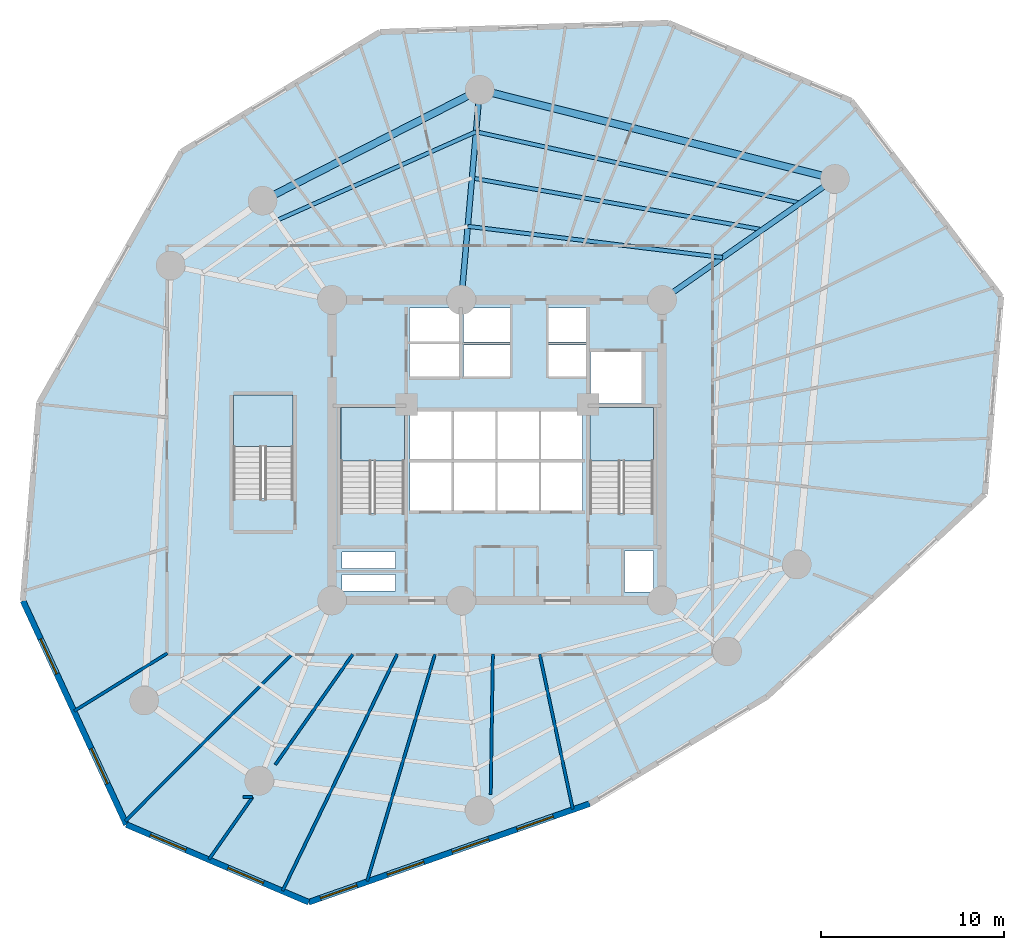
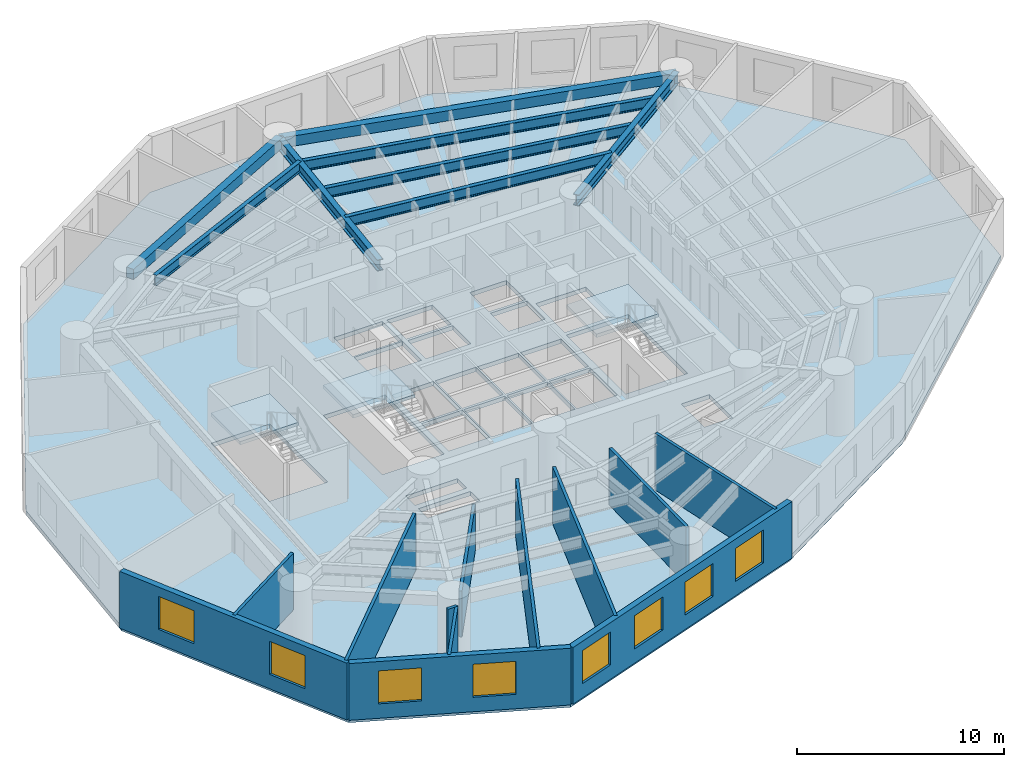
# One storey, part 2 of 8: 12 walls, 8 beams, 8 windows, 4 slabs, 8 openings, 3 elements without a shape of their own.
"""IFC4 building model written with IfcOpenShell, lengths in metres."""

from ifc_helpers import new_model, si_unit, direction, frame, frame_2d, origin, origin_with_axes, origin_2d, place, context, subcontext, project, spatial, polyline, rectangle, i_section, outline, extrude, source, transform, mapped, material, layer, layer_set, material_profile, profile_set, type_object, element, fill, aggregate, save


model = new_model("IFC4")

# Units and contexts
model_context = context("Model", 3, precision=1e-05, world=origin(), true_north=direction((0.0, 1.0)))
body_context = subcontext(model_context, "Body", "Model", "MODEL_VIEW")
ifc_project = project(units=[si_unit("LENGTHUNIT", "METRE"), si_unit("AREAUNIT", "SQUARE_METRE"), si_unit("VOLUMEUNIT", "CUBIC_METRE"), si_unit("PLANEANGLEUNIT", "RADIAN"), si_unit("MASSUNIT", "GRAM", prefix="KILO")], contexts=[model_context])

# Site, building, storey
site_placement = place(None, origin())
site = spatial("IfcSite", under=ifc_project, at=site_placement, CompositionType="ELEMENT")
building_placement = place(site_placement, origin())
building = spatial("IfcBuilding", under=site, at=building_placement, Name="Karkom Vertical University and Central Library", CompositionType="ELEMENT")
storey_placement = place(building_placement, frame((0.0, 0.0, 33.699951171875)))
storey = spatial("IfcBuildingStorey", under=building, at=storey_placement, Name="L08", CompositionType="ELEMENT", Elevation=33.699951171875)

# Beams
ifc_material_1 = material(Name="Steel S355", Category="steel")
ifc_material_profile_1 = material_profile(ifc_material_1, i_section(OverallWidth=0.300048828125, OverallDepth=0.64990234375, WebThickness=0.01611328125, FlangeThickness=0.031005859375, FilletRadius=0.027099609375, at=origin_2d()), Name="HE 650 B")
ifc_profile_set_1 = profile_set([ifc_material_profile_1], Name="Steel S355")
beam_type_1 = type_object("IfcBeamType", Name="STR-BM-SB-HE650", PredefinedType="USERDEFINED", material=ifc_profile_set_1)
shared_shape_1 = source(origin_with_axes(), body_context, "Body", "SweptSolid", [
    extrude(i_section(OverallWidth=0.300048828125, OverallDepth=0.64990234375, WebThickness=0.01611328125, FlangeThickness=0.031005859375, FilletRadius=0.027099609375, at=origin_2d()), origin(), (0.0, 0.0, 1.0), 11.49951171875),
])
beam_1_placement = place(storey_placement, frame((37.5, 34.699951171875, 3.025146484375), z_axis=(0.81915012564, 0.573579176457, 0.0), x_axis=(-0.573579176457, 0.81915012564, 0.0)))
element("IfcBeam", 1, at=beam_1_placement, inside=storey, type_object=beam_type_1, Name="Level 08 Radial Frame Girder 02", ObjectType="GIRDER", PredefinedType="USERDEFINED", context=body_context, shape_type="MappedRepresentation", body=[
    mapped(shared_shape_1, transform((0.0, 0.0, 0.0), scale=1.0)),
])
shared_shape_2 = source(origin_with_axes(), body_context, "Body", "SweptSolid", [
    extrude(i_section(OverallWidth=0.300048828125, OverallDepth=0.64990234375, WebThickness=0.01611328125, FlangeThickness=0.031005859375, FilletRadius=0.027099609375, at=origin_2d()), origin(), (0.0, 0.0, 1.0), 11.499755859375),
])
beam_2_placement = place(storey_placement, frame((26.550048828125, 34.699951171875, 3.025146484375), z_axis=(0.087127973109, 0.99619712723, 0.0), x_axis=(-0.99619712723, 0.087127973109, 0.0)))
element("IfcBeam", 2, at=beam_2_placement, inside=storey, type_object=beam_type_1, Name="Level 08 Radial Frame Girder 03", ObjectType="GIRDER", PredefinedType="USERDEFINED", context=body_context, shape_type="MappedRepresentation", body=[
    mapped(shared_shape_2, transform((0.0, 0.0, 0.0), scale=1.0)),
])
ifc_material_2 = material(Name="Precast concrete C45/55", Category="concrete")
ifc_material_profile_2 = material_profile(ifc_material_2, rectangle(XDim=0.39990234375, YDim=0.60009765625, at=origin_2d()), Name="SPB-400x600")
ifc_profile_set_2 = profile_set([ifc_material_profile_2], Name="Precast concrete C45/55")
beam_type_2 = type_object("IfcBeamType", Name="STR-BM-SP-1", PredefinedType="SPANDREL", material=ifc_profile_set_2)
shared_shape_3 = source(origin_with_axes(), body_context, "Body", "SweptSolid", [
    extrude(rectangle(XDim=0.39990234375, YDim=0.60009765625, at=origin_2d()), origin(), (0.0, 0.0, 1.0), 19.968505859375),
])
beam_3_placement = place(storey_placement, frame((46.919921875, 41.2958984375, 3.050048828125), z_axis=(-0.969928522391, 0.243389937039, 0.0), x_axis=(-0.243389937039, -0.969928522391, 0.0)))
element("IfcBeam", 3, at=beam_3_placement, inside=storey, type_object=beam_type_2, Name="Level 08 Perimeter Spandrel Beam 02", PredefinedType="SPANDREL", context=body_context, shape_type="MappedRepresentation", body=[
    mapped(shared_shape_3, transform((0.0, 0.0, 0.0), scale=1.0)),
])
shared_shape_4 = source(origin_with_axes(), body_context, "Body", "SweptSolid", [
    extrude(rectangle(XDim=0.39990234375, YDim=0.60009765625, at=origin_2d()), origin(), (0.0, 0.0, 1.0), 13.29443359375),
])
beam_4_placement = place(storey_placement, frame((27.552001953125, 46.156005859375, 3.050048828125), z_axis=(-0.890447746793, -0.455085497716, 0.0), x_axis=(0.455085497716, -0.890447746793, 0.0)))
element("IfcBeam", 4, at=beam_4_placement, inside=storey, type_object=beam_type_2, Name="Level 08 Perimeter Spandrel Beam 03", PredefinedType="SPANDREL", context=body_context, shape_type="MappedRepresentation", body=[
    mapped(shared_shape_4, transform((0.0, 0.0, 0.0), scale=1.0)),
])
ifc_material_profile_3 = material_profile(ifc_material_1, i_section(OverallWidth=0.219970703125, OverallDepth=0.60009765625, WebThickness=0.011962890625, FlangeThickness=0.01904296875, FilletRadius=0.02392578125, at=origin_2d()), Name="IPE 600")
ifc_profile_set_3 = profile_set([ifc_material_profile_3], Name="Steel S355")
beam_type_3 = type_object("IfcBeamType", Name="STR-BM-SB-IPE600", PredefinedType="BEAM", material=ifc_profile_set_3)
shared_shape_5 = source(origin_with_axes(), body_context, "Body", "SweptSolid", [
    extrude(i_section(OverallWidth=0.219970703125, OverallDepth=0.60009765625, WebThickness=0.011962890625, FlangeThickness=0.01904296875, FilletRadius=0.02392578125, at=origin_2d()), origin(), (0.0, 0.0, 1.0), 14.000244140625),
])
beam_5_placement = place(storey_placement, frame((40.797119140625, 37.008544921875, 3.050048828125), z_axis=(-0.992590166403, 0.121510335198, 0.0), x_axis=(-0.121510335198, -0.992590166403, 0.0)))
element("IfcBeam", 5, at=beam_5_placement, inside=storey, type_object=beam_type_3, Name="Level 08 Secondary Composite Floor Beam 1.02", PredefinedType="BEAM", context=body_context, shape_type="MappedRepresentation", body=[
    mapped(shared_shape_5, transform((0.0, 0.0, 0.0), scale=1.0)),
])
shared_shape_6 = source(origin_with_axes(), body_context, "Body", "SweptSolid", [
    extrude(i_section(OverallWidth=0.219970703125, OverallDepth=0.60009765625, WebThickness=0.011962890625, FlangeThickness=0.01904296875, FilletRadius=0.02392578125, at=origin_2d()), origin(), (0.0, 0.0, 1.0), 16.08154296875),
])
beam_6_placement = place(storey_placement, frame((42.963623046875, 38.525634765625, 3.050048828125), z_axis=(-0.984517708807, 0.175285142111, 0.0), x_axis=(-0.175285142111, -0.984517708807, 0.0)))
element("IfcBeam", 6, at=beam_6_placement, inside=storey, type_object=beam_type_3, Name="Level 08 Secondary Composite Floor Beam 2.02", PredefinedType="BEAM", context=body_context, shape_type="MappedRepresentation", body=[
    mapped(shared_shape_6, transform((0.0, 0.0, 0.0), scale=1.0)),
])
shared_shape_7 = source(origin_with_axes(), body_context, "Body", "SweptSolid", [
    extrude(i_section(OverallWidth=0.219970703125, OverallDepth=0.60009765625, WebThickness=0.011962890625, FlangeThickness=0.01904296875, FilletRadius=0.02392578125, at=origin_2d()), origin(), (0.0, 0.0, 1.0), 18.106689453125),
])
beam_7_placement = place(storey_placement, frame((45.035888671875, 39.976806640625, 3.050048828125), z_axis=(-0.976674731786, 0.214724167926, 0.0), x_axis=(-0.214724167926, -0.976674731786, 0.0)))
element("IfcBeam", 7, at=beam_7_placement, inside=storey, type_object=beam_type_3, Name="Level 08 Secondary Composite Floor Beam 3.02", PredefinedType="BEAM", context=body_context, shape_type="MappedRepresentation", body=[
    mapped(shared_shape_7, transform((0.0, 0.0, 0.0), scale=1.0)),
])
shared_shape_8 = source(origin_with_axes(), body_context, "Body", "SweptSolid", [
    extrude(i_section(OverallWidth=0.219970703125, OverallDepth=0.60009765625, WebThickness=0.011962890625, FlangeThickness=0.01904296875, FilletRadius=0.02392578125, at=origin_2d()), origin(), (0.0, 0.0, 1.0), 11.908203125),
])
beam_8_placement = place(storey_placement, frame((27.3515625, 43.86474609375, 3.050048828125), z_axis=(-0.913682996781, -0.406427584441, 0.0), x_axis=(0.406427584441, -0.913682996781, 0.0)))
element("IfcBeam", 8, at=beam_8_placement, inside=storey, type_object=beam_type_3, Name="Level 08 Secondary Composite Floor Beam 3.03", PredefinedType="BEAM", context=body_context, shape_type="MappedRepresentation", body=[
    mapped(shared_shape_8, transform((0.0, 0.0, 0.0), scale=1.0)),
])

# Stair, slab
ifc_material_3 = material(Name="Concrete C45/55", Category="concrete")
stair_type_1 = type_object("IfcStairType", Name="INT-STR-ST-MAIN", PredefinedType="HALF_TURN_STAIR", material=ifc_material_3)
stair_1_placement = place(storey_placement, origin())
stair_1 = element("IfcStair", 9, at=stair_1_placement, inside=storey, type_object=stair_type_1, Name="Level 08 Tower Protected Exit Stair ST-1", PredefinedType="HALF_TURN_STAIR")
ifc_layer_1 = layer(ifc_material_3, 0.199951171875)
ifc_layer_set_1 = layer_set([ifc_layer_1], Name="Concrete C45/55")
slab_type_1 = type_object("IfcSlabType", Name="INT-SLB-LANDING", PredefinedType="LANDING", material=ifc_layer_set_1)
slab_1_placement = place(storey_placement, frame((0.0, 0.0, 1.60009765625)))
slab_1 = element("IfcSlab", 10, at=slab_1_placement, type_object=slab_type_1, Name="ST-1 landing 1", PredefinedType="LANDING", context=body_context, shape_type="SweptSolid", body=[
    extrude(outline(polyline([(23.43994140625, 25.919921875), (23.43994140625, 28.820068359375), (19.97998046875, 28.820068359375), (19.97998046875, 25.919921875), (23.43994140625, 25.919921875)])), origin(), (0.0, 0.0, 1.0), 0.199951171875),
])
aggregate(stair_1, [slab_1])

stair_2_placement = place(storey_placement, origin())
stair_2 = element("IfcStair", 11, at=stair_2_placement, inside=storey, type_object=stair_type_1, Name="Level 08 Tower Protected Exit Stair ST-2", PredefinedType="HALF_TURN_STAIR")
slab_2_placement = place(storey_placement, frame((0.0, 0.0, 1.60009765625)))
slab_2 = element("IfcSlab", 12, at=slab_2_placement, type_object=slab_type_1, Name="ST-2 landing 1", PredefinedType="LANDING", context=body_context, shape_type="SweptSolid", body=[
    extrude(outline(polyline([(37.02001953125, 25.919921875), (37.02001953125, 28.820068359375), (33.56005859375, 28.820068359375), (33.56005859375, 25.919921875), (37.02001953125, 25.919921875)])), origin(), (0.0, 0.0, 1.0), 0.199951171875),
])
aggregate(stair_2, [slab_2])

stair_type_2 = type_object("IfcStairType", Name="INT-STR-ST-SEC", PredefinedType="HALF_TURN_STAIR", material=ifc_material_3)
stair_3_placement = place(storey_placement, origin())
stair_3 = element("IfcStair", 13, at=stair_3_placement, inside=storey, type_object=stair_type_2, Name="Level 08 Academic Zone Protected Exit Stair ST-3", PredefinedType="HALF_TURN_STAIR")
slab_3_placement = place(storey_placement, frame((0.0, 0.0, 1.60009765625)))
slab_3 = element("IfcSlab", 14, at=slab_3_placement, type_object=slab_type_1, Name="ST-3 landing 1", PredefinedType="LANDING", context=body_context, shape_type="SweptSolid", body=[
    extrude(outline(polyline([(17.3798828125, 26.699951171875), (17.3798828125, 29.5), (14.1201171875, 29.5), (14.1201171875, 26.699951171875), (17.3798828125, 26.699951171875)])), origin(), (0.0, 0.0, 1.0), 0.199951171875),
])
aggregate(stair_3, [slab_3])

# Slab
ifc_layer_2 = layer(ifc_material_3, 0.25)
ifc_layer_set_2 = layer_set([ifc_layer_2], Name="Concrete C45/55")
slab_type_2 = type_object("IfcSlabType", Name="STR-SLB-FLR-250", PredefinedType="FLOOR", material=ifc_layer_set_2)
slab_4_placement = place(storey_placement, frame((0.0, 0.0, -0.25)))
element("IfcSlab", 15, at=slab_4_placement, inside=storey, type_object=slab_type_2, Name="Level 08 Tower Structural Floor Slab", PredefinedType="FLOOR", context=body_context, shape_type="SweptSolid", body=[
    extrude(outline(polyline([(22.1162109375, 49.305908203125), (11.29248046875, 42.771240234375), (3.52978515625, 29.082763671875), (2.6455078125, 18.289794921875), (8.286376953125, 6.085205078125), (18.2275390625, 1.85009765625), (33.544921875, 7.222900390625), (43.20849609375, 13.05712890625), (55.097412109375, 24.10888671875), (55.97998046875, 34.878662109375), (47.807373046875, 45.5546875), (37.8447265625, 49.799072265625), (22.1162109375, 49.305908203125)]), holes=[polyline([(19.97998046875, 23.0849609375), (23.43994140625, 23.0849609375), (23.43994140625, 28.820068359375), (19.97998046875, 28.820068359375), (19.97998046875, 23.0849609375)]), polyline([(33.56005859375, 23.0849609375), (37.02001953125, 23.0849609375), (37.02001953125, 28.820068359375), (33.56005859375, 28.820068359375), (33.56005859375, 23.0849609375)]), polyline([(14.1201171875, 23.864990234375), (17.3798828125, 23.864990234375), (17.3798828125, 29.5), (14.1201171875, 29.5), (14.1201171875, 23.864990234375)]), polyline([(23.75, 23.199951171875), (26.030029296875, 23.199951171875), (26.030029296875, 25.85009765625), (23.75, 25.85009765625), (23.75, 23.199951171875)]), polyline([(26.1298828125, 23.199951171875), (28.409912109375, 23.199951171875), (28.409912109375, 25.85009765625), (26.1298828125, 25.85009765625), (26.1298828125, 23.199951171875)]), polyline([(28.510009765625, 23.199951171875), (30.7900390625, 23.199951171875), (30.7900390625, 25.85009765625), (28.510009765625, 25.85009765625), (28.510009765625, 23.199951171875)]), polyline([(30.889892578125, 23.199951171875), (33.169921875, 23.199951171875), (33.169921875, 25.85009765625), (30.889892578125, 25.85009765625), (30.889892578125, 23.199951171875)]), polyline([(23.75, 26.0), (26.030029296875, 26.0), (26.030029296875, 28.64990234375), (23.75, 28.64990234375), (23.75, 26.0)]), polyline([(26.1298828125, 26.0), (28.409912109375, 26.0), (28.409912109375, 28.64990234375), (26.1298828125, 28.64990234375), (26.1298828125, 26.0)]), polyline([(28.510009765625, 26.0), (30.7900390625, 26.0), (30.7900390625, 28.64990234375), (28.510009765625, 28.64990234375), (28.510009765625, 26.0)]), polyline([(30.889892578125, 26.0), (33.169921875, 26.0), (33.169921875, 28.64990234375), (30.889892578125, 28.64990234375), (30.889892578125, 26.0)]), polyline([(26.679931640625, 30.5), (29.199951171875, 30.5), (29.199951171875, 32.25), (26.679931640625, 32.25), (26.679931640625, 30.5)]), polyline([(26.679931640625, 32.39990234375), (29.199951171875, 32.39990234375), (29.199951171875, 34.25), (26.679931640625, 34.25), (26.679931640625, 32.39990234375)]), polyline([(31.300048828125, 30.5), (33.35009765625, 30.5), (33.35009765625, 32.25), (31.300048828125, 32.25), (31.300048828125, 30.5)]), polyline([(31.300048828125, 32.39990234375), (33.35009765625, 32.39990234375), (33.35009765625, 34.25), (31.300048828125, 34.25), (31.300048828125, 32.39990234375)]), polyline([(23.719970703125, 30.47998046875), (26.429931640625, 30.47998046875), (26.429931640625, 32.320068359375), (23.719970703125, 32.320068359375), (23.719970703125, 30.47998046875)]), polyline([(23.719970703125, 32.419921875), (26.429931640625, 32.419921875), (26.429931640625, 34.260009765625), (23.719970703125, 34.260009765625), (23.719970703125, 32.419921875)]), polyline([(33.60009765625, 29.050048828125), (36.39990234375, 29.050048828125), (36.39990234375, 31.85009765625), (33.60009765625, 31.85009765625), (33.60009765625, 29.050048828125)]), polyline([(20.050048828125, 18.820068359375), (22.949951171875, 18.820068359375), (22.949951171875, 19.719970703125), (20.050048828125, 19.719970703125), (20.050048828125, 18.820068359375)]), polyline([(20.050048828125, 20.06005859375), (22.949951171875, 20.06005859375), (22.949951171875, 20.9599609375), (20.050048828125, 20.9599609375), (20.050048828125, 20.06005859375)]), polyline([(35.4599609375, 18.760009765625), (37.0400390625, 18.760009765625), (37.0400390625, 21.010009765625), (35.4599609375, 21.010009765625), (35.4599609375, 18.760009765625)])]), origin(), (0.0, 0.0, 1.0), 0.25),
])

# Wall, openings, windows
ifc_material_4 = material(Name="Brick-faced precast concrete C45/55", Category="masonry")
ifc_layer_3 = layer(ifc_material_4, 0.320068359375)
ifc_layer_set_3 = layer_set([ifc_layer_3], Name="Brick-faced precast concrete C45/55")
wall_type_1 = type_object("IfcWallType", Name="ENV-WL-BRK-320", PredefinedType="SOLIDWALL", material=ifc_layer_set_3)
wall_1_placement = place(storey_placement, frame((2.6455078125, 18.289794921875, 0.0), z_axis=(0.0, 0.0, 1.0), x_axis=(0.419547504899, -0.907733381083, 0.0)))
wall_1 = element("IfcWall", 16, at=wall_1_placement, inside=storey, type_object=wall_type_1, Name="Level 08 Brick-Faced Precast Facade Wall 04", PredefinedType="SOLIDWALL", context=body_context, shape_type="SweptSolid", body=[
    extrude(rectangle(XDim=13.445068359375, YDim=0.320068359375, at=frame_2d((6.72265625, 0.0))), origin(), (0.0, 0.0, 1.0), 3.35009765625),
])
opening_1_placement = place(wall_1_placement, frame((2.29150390625, 0.0, 0.85009765625)))
opening_1 = element("IfcOpeningElement", 17, at=opening_1_placement, cuts=wall_1, Name="Opening WN-03", PredefinedType="OPENING", context=body_context, shape_type="SweptSolid", body=[
    extrude(rectangle(XDim=2.10009765625, YDim=1.949951171875, at=frame_2d((1.050048828125, 0.97509765625))), frame((0.0, 0.169921875, 0.0), z_axis=(0.0, -1.0, 0.0), x_axis=(1.0, 0.0, 0.0)), (0.0, 0.0, 1.0), 0.340087890625),
])
opening_2_placement = place(wall_1_placement, frame((8.87890625, 0.0, 0.85009765625)))
opening_2 = element("IfcOpeningElement", 18, at=opening_2_placement, cuts=wall_1, Name="Opening WN-03", PredefinedType="OPENING", context=body_context, shape_type="SweptSolid", body=[
    extrude(rectangle(XDim=2.10009765625, YDim=1.949951171875, at=frame_2d((1.050048828125, 0.97509765625))), frame((0.0, 0.169921875, 0.0), z_axis=(0.0, -1.0, 0.0), x_axis=(1.0, 0.0, 0.0)), (0.0, 0.0, 1.0), 0.340087890625),
])
ifc_material_5 = material(Name="Aluminium thermal-break frame with solar-control IGU", Category="aluminium")
window_type = type_object("IfcWindowType", Name="ENV-WIN-WN-03", PartitioningType="SINGLE_PANEL", PredefinedType="WINDOW", material=ifc_material_5)
shared_shape_9 = source(origin_with_axes(), body_context, "Body", "SweptSolid", [
    extrude(rectangle(XDim=2.10009765625, YDim=1.949951171875, at=frame_2d((1.050048828125, 0.97509765625))), frame((0.0, 0.030029296875, 0.0), z_axis=(0.0, -1.0, 0.0), x_axis=(1.0, 0.0, 0.0)), (0.0, 0.0, 1.0), 0.06005859375),
])
window_1_placement = place(opening_1_placement, origin())
window_1 = element("IfcWindow", 19, at=window_1_placement, inside=storey, type_object=window_type, Name="Level 08 Punched Window 4.1", OverallHeight=1.949951171875, OverallWidth=2.10009765625, PartitioningType="SINGLE_PANEL", PredefinedType="WINDOW", context=body_context, shape_type="MappedRepresentation", body=[
    mapped(shared_shape_9, transform((0.0, 0.0, 0.0), scale=1.0)),
])
fill(opening_1, window_1)
window_2_placement = place(opening_2_placement, origin())
window_2 = element("IfcWindow", 20, at=window_2_placement, inside=storey, type_object=window_type, Name="Level 08 Punched Window 4.2", OverallHeight=1.949951171875, OverallWidth=2.10009765625, PartitioningType="SINGLE_PANEL", PredefinedType="WINDOW", context=body_context, shape_type="MappedRepresentation", body=[
    mapped(shared_shape_9, transform((0.0, 0.0, 0.0), scale=1.0)),
])
fill(opening_2, window_2)

wall_2_placement = place(storey_placement, frame((8.286376953125, 6.085205078125, 0.0), z_axis=(0.0, 0.0, 1.0), x_axis=(0.91999365671, -0.391933248924, 0.0)))
wall_2 = element("IfcWall", 21, at=wall_2_placement, inside=storey, type_object=wall_type_1, Name="Level 08 Brick-Faced Precast Facade Wall 05", PredefinedType="SOLIDWALL", context=body_context, shape_type="SweptSolid", body=[
    extrude(rectangle(XDim=10.8056640625, YDim=0.320068359375, at=frame_2d((5.40283203125, 0.0))), origin(), (0.0, 0.0, 1.0), 3.35009765625),
])
opening_3_placement = place(wall_2_placement, frame((1.426025390625, 0.0, 0.85009765625)))
opening_3 = element("IfcOpeningElement", 22, at=opening_3_placement, cuts=wall_2, Name="Opening WN-03", PredefinedType="OPENING", context=body_context, shape_type="SweptSolid", body=[
    extrude(rectangle(XDim=2.10009765625, YDim=1.949951171875, at=frame_2d((1.050048828125, 0.97509765625))), frame((0.0, 0.169921875, 0.0), z_axis=(0.0, -1.0, 0.0), x_axis=(1.0, 0.0, 0.0)), (0.0, 0.0, 1.0), 0.340087890625),
])
opening_4_placement = place(wall_2_placement, frame((6.021484375, 0.0, 0.85009765625)))
opening_4 = element("IfcOpeningElement", 23, at=opening_4_placement, cuts=wall_2, Name="Opening WN-03", PredefinedType="OPENING", context=body_context, shape_type="SweptSolid", body=[
    extrude(rectangle(XDim=2.10009765625, YDim=1.949951171875, at=frame_2d((1.050048828125, 0.97509765625))), frame((0.0, 0.169921875, 0.0), z_axis=(0.0, -1.0, 0.0), x_axis=(1.0, 0.0, 0.0)), (0.0, 0.0, 1.0), 0.340087890625),
])
window_3_placement = place(opening_3_placement, origin())
window_3 = element("IfcWindow", 24, at=window_3_placement, inside=storey, type_object=window_type, Name="Level 08 Punched Window 5.1", OverallHeight=1.949951171875, OverallWidth=2.10009765625, PartitioningType="SINGLE_PANEL", PredefinedType="WINDOW", context=body_context, shape_type="MappedRepresentation", body=[
    mapped(shared_shape_9, transform((0.0, 0.0, 0.0), scale=1.0)),
])
fill(opening_3, window_3)
window_4_placement = place(opening_4_placement, origin())
window_4 = element("IfcWindow", 25, at=window_4_placement, inside=storey, type_object=window_type, Name="Level 08 Punched Window 5.2", OverallHeight=1.949951171875, OverallWidth=2.10009765625, PartitioningType="SINGLE_PANEL", PredefinedType="WINDOW", context=body_context, shape_type="MappedRepresentation", body=[
    mapped(shared_shape_9, transform((0.0, 0.0, 0.0), scale=1.0)),
])
fill(opening_4, window_4)

wall_3_placement = place(storey_placement, frame((18.2275390625, 1.85009765625, 0.0), z_axis=(0.0, 0.0, 1.0), x_axis=(0.943633034102, 0.330993499864, 0.0)))
wall_3 = element("IfcWall", 26, at=wall_3_placement, inside=storey, type_object=wall_type_1, Name="Level 08 Brick-Faced Precast Facade Wall 06", PredefinedType="SOLIDWALL", context=body_context, shape_type="SweptSolid", body=[
    extrude(rectangle(XDim=16.232421875, YDim=0.320068359375, at=frame_2d((8.1162109375, 0.0))), origin(), (0.0, 0.0, 1.0), 3.35009765625),
])
opening_5_placement = place(wall_3_placement, frame((0.68505859375, 0.0, 0.85009765625)))
opening_5 = element("IfcOpeningElement", 27, at=opening_5_placement, cuts=wall_3, Name="Opening WN-03", PredefinedType="OPENING", context=body_context, shape_type="SweptSolid", body=[
    extrude(rectangle(XDim=2.10009765625, YDim=1.949951171875, at=frame_2d((1.050048828125, 0.97509765625))), frame((0.0, 0.169921875, 0.0), z_axis=(0.0, -1.0, 0.0), x_axis=(1.0, 0.0, 0.0)), (0.0, 0.0, 1.0), 0.340087890625),
])
opening_6_placement = place(wall_3_placement, frame((4.551025390625, 0.0, 0.85009765625)))
opening_6 = element("IfcOpeningElement", 28, at=opening_6_placement, cuts=wall_3, Name="Opening WN-03", PredefinedType="OPENING", context=body_context, shape_type="SweptSolid", body=[
    extrude(rectangle(XDim=2.10009765625, YDim=1.949951171875, at=frame_2d((1.050048828125, 0.97509765625))), frame((0.0, 0.169921875, 0.0), z_axis=(0.0, -1.0, 0.0), x_axis=(1.0, 0.0, 0.0)), (0.0, 0.0, 1.0), 0.340087890625),
])
opening_7_placement = place(wall_3_placement, frame((8.29248046875, 0.0, 0.85009765625)))
opening_7 = element("IfcOpeningElement", 29, at=opening_7_placement, cuts=wall_3, Name="Opening WN-03", PredefinedType="OPENING", context=body_context, shape_type="SweptSolid", body=[
    extrude(rectangle(XDim=2.10009765625, YDim=1.949951171875, at=frame_2d((1.050048828125, 0.97509765625))), frame((0.0, 0.169921875, 0.0), z_axis=(0.0, -1.0, 0.0), x_axis=(1.0, 0.0, 0.0)), (0.0, 0.0, 1.0), 0.340087890625),
])
opening_8_placement = place(wall_3_placement, frame((12.033935546875, 0.0, 0.85009765625)))
opening_8 = element("IfcOpeningElement", 30, at=opening_8_placement, cuts=wall_3, Name="Opening WN-03", PredefinedType="OPENING", context=body_context, shape_type="SweptSolid", body=[
    extrude(rectangle(XDim=2.10009765625, YDim=1.949951171875, at=frame_2d((1.050048828125, 0.97509765625))), frame((0.0, 0.169921875, 0.0), z_axis=(0.0, -1.0, 0.0), x_axis=(1.0, 0.0, 0.0)), (0.0, 0.0, 1.0), 0.340087890625),
])
window_5_placement = place(opening_5_placement, origin())
window_5 = element("IfcWindow", 31, at=window_5_placement, inside=storey, type_object=window_type, Name="Level 08 Punched Window 6.1", OverallHeight=1.949951171875, OverallWidth=2.10009765625, PartitioningType="SINGLE_PANEL", PredefinedType="WINDOW", context=body_context, shape_type="MappedRepresentation", body=[
    mapped(shared_shape_9, transform((0.0, 0.0, 0.0), scale=1.0)),
])
fill(opening_5, window_5)
window_6_placement = place(opening_6_placement, origin())
window_6 = element("IfcWindow", 32, at=window_6_placement, inside=storey, type_object=window_type, Name="Level 08 Punched Window 6.2", OverallHeight=1.949951171875, OverallWidth=2.10009765625, PartitioningType="SINGLE_PANEL", PredefinedType="WINDOW", context=body_context, shape_type="MappedRepresentation", body=[
    mapped(shared_shape_9, transform((0.0, 0.0, 0.0), scale=1.0)),
])
fill(opening_6, window_6)
window_7_placement = place(opening_7_placement, origin())
window_7 = element("IfcWindow", 33, at=window_7_placement, inside=storey, type_object=window_type, Name="Level 08 Punched Window 6.3", OverallHeight=1.949951171875, OverallWidth=2.10009765625, PartitioningType="SINGLE_PANEL", PredefinedType="WINDOW", context=body_context, shape_type="MappedRepresentation", body=[
    mapped(shared_shape_9, transform((0.0, 0.0, 0.0), scale=1.0)),
])
fill(opening_7, window_7)
window_8_placement = place(opening_8_placement, origin())
window_8 = element("IfcWindow", 34, at=window_8_placement, inside=storey, type_object=window_type, Name="Level 08 Punched Window 6.4", OverallHeight=1.949951171875, OverallWidth=2.10009765625, PartitioningType="SINGLE_PANEL", PredefinedType="WINDOW", context=body_context, shape_type="MappedRepresentation", body=[
    mapped(shared_shape_9, transform((0.0, 0.0, 0.0), scale=1.0)),
])
fill(opening_8, window_8)

# Walls
ifc_material_6 = material(Name="Insulated metal-stud drywall 160mm", Category="gypsum")
ifc_layer_4 = layer(ifc_material_6, 0.159912109375)
ifc_layer_set_4 = layer_set([ifc_layer_4], Name="Insulated metal-stud drywall 160mm")
wall_type_2 = type_object("IfcWallType", Name="INT-WL-COR-160", PredefinedType="PARTITIONING", material=ifc_layer_set_4)
wall_4_placement = place(storey_placement, frame((23.054443359375, 15.390380859375, 0.0), z_axis=(0.0, 0.0, 1.0), x_axis=(-0.435763835204, -0.900061042334, 0.0)))
element("IfcWall", 35, at=wall_4_placement, inside=storey, type_object=wall_type_2, Name="Level 08 Interior Partition Wall Level 08-PW-008", PredefinedType="PARTITIONING", context=body_context, shape_type="SweptSolid", body=[
    extrude(rectangle(XDim=14.34033203125, YDim=0.159912109375, at=frame_2d((7.170166015625, 0.0))), origin(), (0.0, 0.0, 1.0), 3.35009765625),
])
wall_5_placement = place(storey_placement, frame((25.112548828125, 15.378662109375, 0.0), z_axis=(0.0, 0.0, 1.0), x_axis=(-0.286447487673, -0.958095943424, 0.0)))
element("IfcWall", 36, at=wall_5_placement, inside=storey, type_object=wall_type_2, Name="Level 08 Interior Partition Wall Level 08-PW-009", PredefinedType="PARTITIONING", context=body_context, shape_type="SweptSolid", body=[
    extrude(rectangle(XDim=12.912353515625, YDim=0.159912109375, at=frame_2d((6.4560546875, 0.0))), origin(), (0.0, 0.0, 1.0), 3.35009765625),
])
wall_6_placement = place(storey_placement, frame((17.306884765625, 15.37109375, 0.0), z_axis=(0.0, 0.0, 1.0), x_axis=(-0.706450948612, -0.707762006048, 0.0)))
element("IfcWall", 37, at=wall_6_placement, inside=storey, type_object=wall_type_2, Name="Level 08 Interior Partition Wall Level 08-PW-004", PredefinedType="PARTITIONING", context=body_context, shape_type="SweptSolid", body=[
    extrude(rectangle(XDim=12.848876953125, YDim=0.159912109375, at=frame_2d((6.42431640625, 0.0))), origin(), (0.0, 0.0, 1.0), 3.35009765625),
])
wall_7_placement = place(storey_placement, frame((30.819580078125, 15.37939453125, 0.0), z_axis=(0.0, 0.0, 1.0), x_axis=(0.20933229931, -0.977844562528, 0.0)))
element("IfcWall", 38, at=wall_7_placement, inside=storey, type_object=wall_type_2, Name="Level 08 Interior Partition Wall Level 08-PW-011", PredefinedType="PARTITIONING", context=body_context, shape_type="SweptSolid", body=[
    extrude(rectangle(XDim=8.64208984375, YDim=0.159912109375, at=frame_2d((4.321044921875, 0.0))), origin(), (0.0, 0.0, 1.0), 3.35009765625),
])
wall_8_placement = place(storey_placement, frame((28.268798828125, 15.3798828125, 0.0), z_axis=(0.0, 0.0, 1.0), x_axis=(-0.015400941242, -0.999881398471, 0.0)))
element("IfcWall", 39, at=wall_8_placement, inside=storey, type_object=wall_type_2, Name="Level 08 Interior Partition Wall Level 08-PW-010", PredefinedType="PARTITIONING", context=body_context, shape_type="SweptSolid", body=[
    extrude(rectangle(XDim=7.65673828125, YDim=0.159912109375, at=frame_2d((3.828369140625, 0.0))), origin(), (0.0, 0.0, 1.0), 3.35009765625),
])
wall_9_placement = place(storey_placement, frame((20.627685546875, 15.37451171875, 0.0), z_axis=(0.0, 0.0, 1.0), x_axis=(-0.574028069181, -0.818835621961, 0.0)))
element("IfcWall", 40, at=wall_9_placement, inside=storey, type_object=wall_type_2, Name="Level 08 Interior Partition Wall Level 08-PW-007", PredefinedType="PARTITIONING", context=body_context, shape_type="SweptSolid", body=[
    extrude(rectangle(XDim=7.35498046875, YDim=0.159912109375, at=frame_2d((3.677490234375, 0.0))), origin(), (0.0, 0.0, 1.0), 2.699951171875),
])
wall_10_placement = place(storey_placement, frame((10.525390625, 15.430908203125, 0.0), z_axis=(0.0, 0.0, 1.0), x_axis=(-0.849994952972, -0.526790831281, 0.0)))
element("IfcWall", 41, at=wall_10_placement, inside=storey, type_object=wall_type_2, Name="Level 08 Interior Partition Wall Level 08-PW-003", PredefinedType="PARTITIONING", context=body_context, shape_type="SweptSolid", body=[
    extrude(rectangle(XDim=5.971923828125, YDim=0.159912109375, at=frame_2d((2.98583984375, 0.0))), origin(), (0.0, 0.0, 1.0), 3.35009765625),
])
wall_11_placement = place(storey_placement, frame((15.172119140625, 7.592041015625, 0.0), z_axis=(0.0, 0.0, 1.0), x_axis=(-0.573995402066, -0.818858521606, 0.0)))
element("IfcWall", 42, at=wall_11_placement, inside=storey, type_object=wall_type_2, Name="Level 08 Interior Partition Wall Level 08-PW-006", PredefinedType="PARTITIONING", context=body_context, shape_type="SweptSolid", body=[
    extrude(rectangle(XDim=4.148681640625, YDim=0.159912109375, at=frame_2d((2.07421875, 0.0))), origin(), (0.0, 0.0, 1.0), 3.35009765625),
])
wall_12_placement = place(storey_placement, frame((14.64892578125, 7.592041015625, 0.0), z_axis=(0.0, 0.0, 1.0), x_axis=(1.0, 0.0, 0.0)))
element("IfcWall", 43, at=wall_12_placement, inside=storey, type_object=wall_type_2, Name="Level 08 Interior Partition Wall Level 08-PW-005", PredefinedType="PARTITIONING", context=body_context, shape_type="SweptSolid", body=[
    extrude(rectangle(XDim=0.523193359375, YDim=0.159912109375, at=frame_2d((0.26171875, 0.0))), origin(), (0.0, 0.0, 1.0), 3.35009765625),
])

save(model, "model.ifc")
